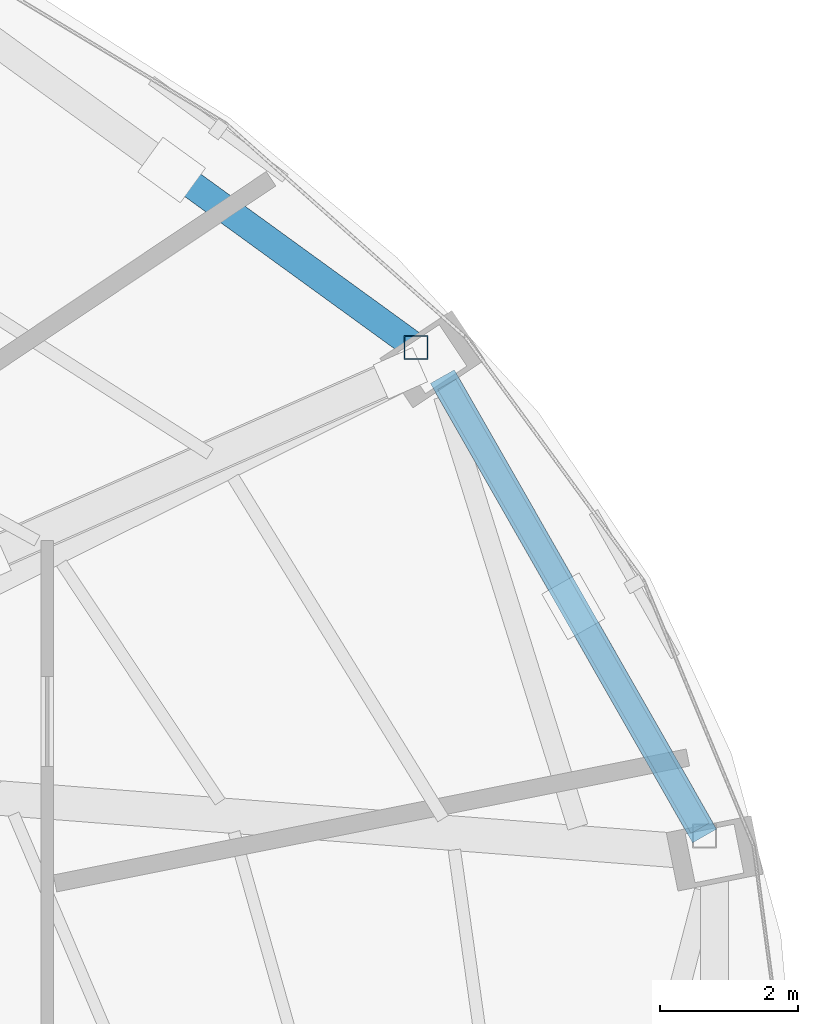
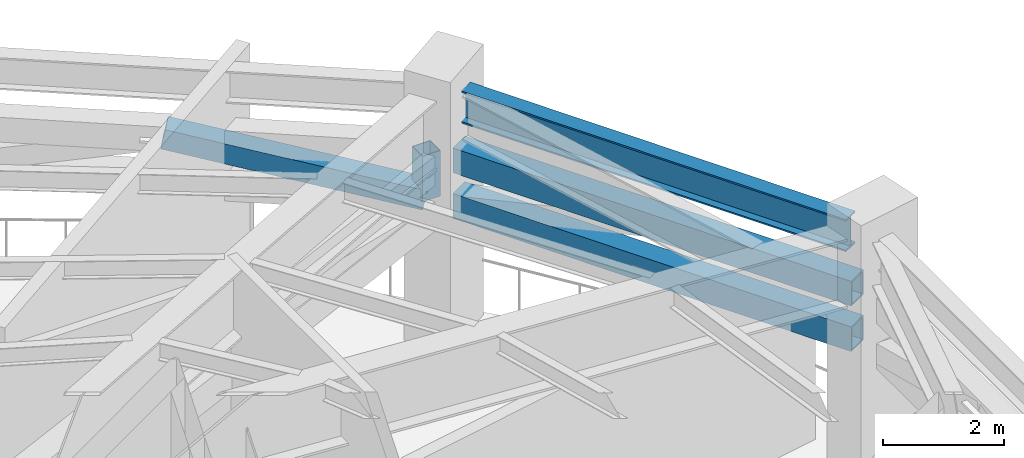
# One storey, part 6 of 14: 4 members, 1 beam.
"""IFC4 building model written with IfcOpenShell, lengths in metres."""

from ifc_helpers import new_model, si_unit, direction, frame, origin, origin_2d, place, context, subcontext, project, spatial, hollow_rectangle, i_section, extrude, material, material_profile, profile_set, type_object, element, save


model = new_model("IFC4")

# Units and contexts
model_context = context("Model", 3, precision=1e-05, world=origin(), true_north=direction((0.0, 1.0)))
body_context = subcontext(model_context, "Body", "Model", "MODEL_VIEW")
ifc_project = project(units=[si_unit("LENGTHUNIT", "METRE"), si_unit("AREAUNIT", "SQUARE_METRE"), si_unit("VOLUMEUNIT", "CUBIC_METRE"), si_unit("PLANEANGLEUNIT", "RADIAN"), si_unit("MASSUNIT", "GRAM", prefix="KILO")], contexts=[model_context])

# Site, building, storey
site_placement = place(None, origin())
site = spatial("IfcSite", under=ifc_project, at=site_placement, CompositionType="ELEMENT")
building_placement = place(site_placement, origin())
building = spatial("IfcBuilding", under=site, at=building_placement, Name="Lazwardi Medical Tower", CompositionType="ELEMENT")
storey_placement = place(building_placement, frame((0.0, 0.0, 76.27197265625)))
storey = spatial("IfcBuildingStorey", under=building, at=storey_placement, Name="L19", CompositionType="ELEMENT", Elevation=76.27197265625)

# Beam
ifc_material_1 = material(Name="Steel S355", Category="steel")
ifc_material_profile_1 = material_profile(ifc_material_1, i_section(OverallWidth=0.300048828125, OverallDepth=0.64990234375, WebThickness=0.01611328125, FlangeThickness=0.031005859375, at=origin_2d()), Name="HEB 650")
ifc_profile_set_1 = profile_set([ifc_material_profile_1], Name="Steel S355")
beam_type = type_object("IfcBeamType", Name="BM-RB-Z1", PredefinedType="BEAM", material=ifc_profile_set_1)
beam_placement = place(storey_placement, frame((62.591796875, 34.63232421875, 4.697021484375), z_axis=(-0.49581512241, 0.868428099724, 0.0), x_axis=(-0.868428099724, -0.49581512241, 0.0)))
element("IfcBeam", 1, at=beam_placement, inside=storey, type_object=beam_type, Name="Ring beam RB-02 B05 L19", PredefinedType="BEAM", context=body_context, shape_type="SweptSolid", body=[
    extrude(i_section(OverallWidth=0.300048828125, OverallDepth=0.64990234375, WebThickness=0.01611328125, FlangeThickness=0.031005859375, at=origin_2d()), origin(), (0.0, 0.0, 1.0), 7.389404296875),
])

# Members
ifc_material_2 = material(Name="Steel S460", Category="steel")
ifc_material_profile_2 = material_profile(ifc_material_2, hollow_rectangle(XDim=0.39990234375, YDim=0.5, WallThickness=0.02490234375, at=origin_2d()), Name="RHS 500x400x25")
ifc_profile_set_2 = profile_set([ifc_material_profile_2], Name="Steel S460")
member_type_1 = type_object("IfcMemberType", Name="MEM-BC-01", PredefinedType="CHORD", material=ifc_profile_set_2)
for number, where, z_axis, x_axis, name in (
    (2, (62.65625, 34.51953125, 2.679931640625), (-0.495802051618, 0.868435562153, 0.0), (-0.868435562153, -0.495802051618, 0.0), "Belt truss bottom chord BC-01 B05 L19"),
    (3, (62.65625, 34.51953125, 3.60009765625), (-0.495802051618, 0.868435562153, 0.0), (-0.868435562153, -0.495802051618, 0.0), "Belt truss top chord BC-01 B05 L19"),
):
    element("IfcMember", number, at=place(storey_placement, frame(where, z_axis=z_axis, x_axis=x_axis)), inside=storey, type_object=member_type_1, Name=name, PredefinedType="CHORD", context=body_context, shape_type="SweptSolid", body=[
        extrude(hollow_rectangle(XDim=0.39990234375, YDim=0.5, WallThickness=0.02490234375, at=origin_2d()), origin(), (0.0, 0.0, 1.0), 7.649169921875),
    ])
ifc_material_profile_3 = material_profile(ifc_material_2, hollow_rectangle(XDim=0.39990234375, YDim=0.39990234375, WallThickness=0.02001953125, at=origin_2d()), Name="RHS 400x400x20")
ifc_profile_set_3 = profile_set([ifc_material_profile_3], Name="Steel S460")
member_type_2 = type_object("IfcMemberType", Name="MEM-BD-01", PredefinedType="BRACE", material=ifc_profile_set_3)
member_1_placement = place(storey_placement, frame((58.485107421875, 41.58447265625, 2.679931640625), z_axis=(-0.79199598146, 0.57465933038, 0.206177155279), x_axis=(-0.587277167758, -0.809385895745, 0.0)))
element("IfcMember", 4, at=member_1_placement, inside=storey, type_object=member_type_2, Name="Belt truss diagonal BD-01 B06A L19", PredefinedType="BRACE", context=body_context, shape_type="SweptSolid", body=[
    extrude(hollow_rectangle(XDim=0.39990234375, YDim=0.39990234375, WallThickness=0.02001953125, at=origin_2d()), origin(), (0.0, 0.0, 1.0), 4.462890625),
])
ifc_material_profile_4 = material_profile(ifc_material_1, hollow_rectangle(XDim=0.35009765625, YDim=0.35009765625, WallThickness=0.01611328125, at=origin_2d()), Name="RHS 350x350x16")
ifc_profile_set_4 = profile_set([ifc_material_profile_4], Name="Steel S355")
member_type_3 = type_object("IfcMemberType", Name="MEM-BV-01", PredefinedType="POST", material=ifc_profile_set_4)
member_2_placement = place(storey_placement, frame((58.485107421875, 41.58447265625, 2.679931640625), z_axis=(0.0, 0.0, 1.0), x_axis=(1.0, 0.0, 0.0)))
element("IfcMember", 5, at=member_2_placement, inside=storey, type_object=member_type_3, Name="Belt truss post BV-01 B06 L19", PredefinedType="POST", context=body_context, shape_type="SweptSolid", body=[
    extrude(hollow_rectangle(XDim=0.35009765625, YDim=0.35009765625, WallThickness=0.01611328125, at=origin_2d()), origin(), (0.0, 0.0, 1.0), 0.920166015625),
])

save(model, "model.ifc")
